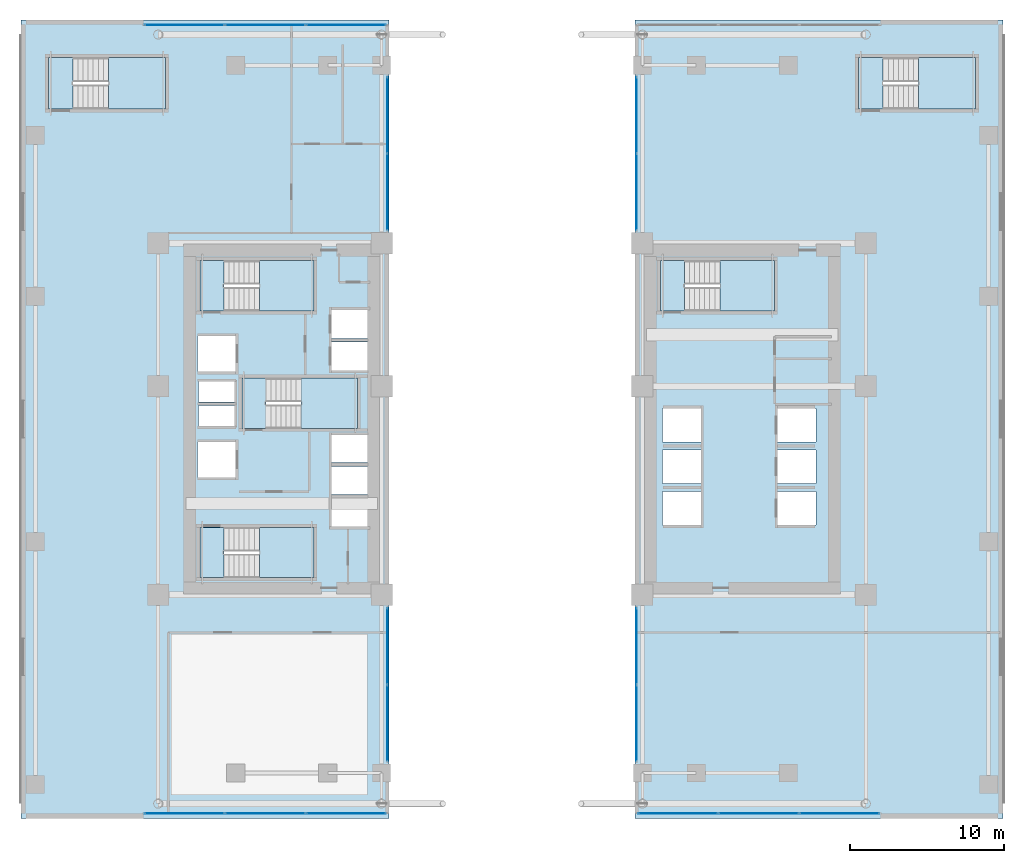
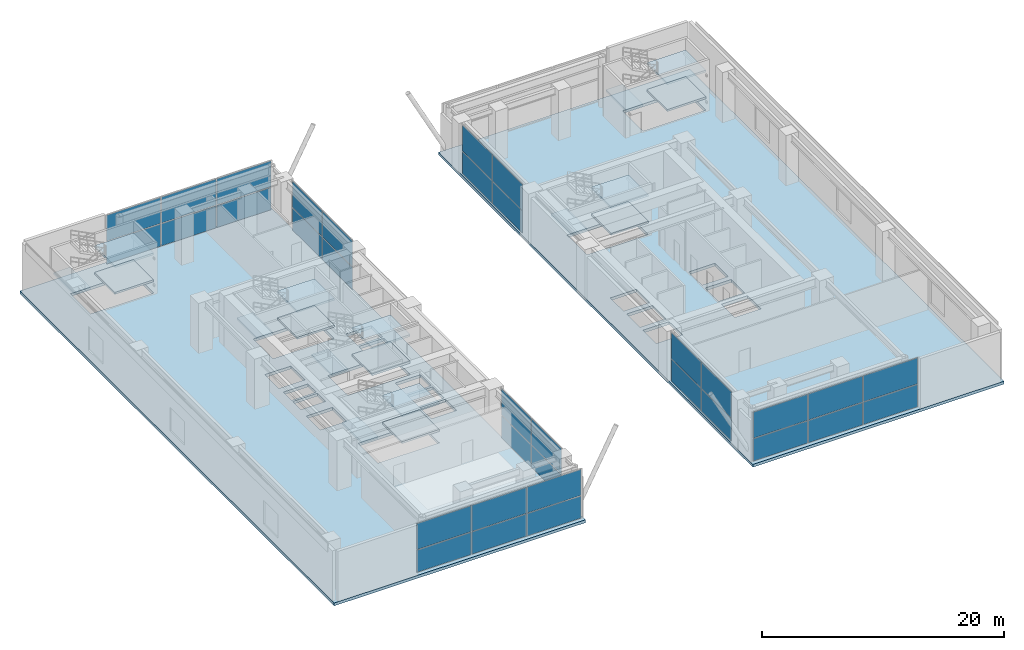
# One storey, part 18 of 29: 34 plates, 20 slabs, 13 elements without a shape of their own.
"""IFC4 building model written with IfcOpenShell, lengths in metres."""

from ifc_helpers import new_model, si_unit, direction, frame, origin, origin_2d, place, context, subcontext, project, spatial, polyline, rectangle, outline, extrude, source, transform, mapped, material, layer, layer_set, type_object, element, aggregate, save


model = new_model("IFC4")

# Units and contexts
model_context = context("Model", 3, precision=1e-05, world=origin(), true_north=direction((0.0, 1.0)))
body_context = subcontext(model_context, "Body", "Model", "MODEL_VIEW")
ifc_project = project(units=[si_unit("LENGTHUNIT", "METRE"), si_unit("AREAUNIT", "SQUARE_METRE"), si_unit("VOLUMEUNIT", "CUBIC_METRE"), si_unit("PLANEANGLEUNIT", "RADIAN"), si_unit("MASSUNIT", "GRAM", prefix="KILO")], contexts=[model_context])

# Site, building, storey
site_placement = place(None, origin())
site = spatial("IfcSite", under=ifc_project, at=site_placement, CompositionType="ELEMENT")
building_placement = place(site_placement, origin())
building = spatial("IfcBuilding", under=site, at=building_placement, Name="Ocotamira Hotel", CompositionType="ELEMENT")
storey_placement = place(building_placement, frame((0.0, 0.0, 6.0)))
storey = spatial("IfcBuildingStorey", under=building, at=storey_placement, Name="L02", CompositionType="ELEMENT", Elevation=6.0)

# Stair, slabs
ifc_material_1 = material(Name="Concrete C40/50", Category="concrete")
stair_type_1 = type_object("IfcStairType", Name="ST-CORE-1560", PredefinedType="HALF_TURN_STAIR", material=ifc_material_1)
stair_1_placement = place(storey_placement, origin())
stair_1 = element("IfcStair", 1, at=stair_1_placement, inside=storey, type_object=stair_type_1, Name="L02 Exit Stair ST-1", PredefinedType="HALF_TURN_STAIR")
ifc_layer_1 = layer(ifc_material_1, 0.199951171875)
ifc_layer_set_1 = layer_set([ifc_layer_1], Name="Concrete C40/50")
slab_type_1 = type_object("IfcSlabType", Name="SLB-LAND-200", PredefinedType="LANDING", material=ifc_layer_set_1)
slab_1_placement = place(storey_placement, frame((0.0, 0.0, 1.14990234375)))
slab_1 = element("IfcSlab", 2, at=slab_1_placement, type_object=slab_type_1, Name="ST-1 landing 1", PredefinedType="LANDING", context=body_context, shape_type="SweptSolid", body=[
    extrude(outline(polyline([(15.5400390625, 15.669921875), (19.090087890625, 15.669921875), (19.090087890625, 18.949951171875), (15.5400390625, 18.949951171875), (15.5400390625, 15.669921875)])), origin(), (0.0, 0.0, 1.0), 0.2001953125),
])
slab_2_placement = place(storey_placement, frame((0.0, 0.0, 2.5)))
slab_2 = element("IfcSlab", 3, at=slab_2_placement, type_object=slab_type_1, Name="ST-1 landing 2", PredefinedType="LANDING", context=body_context, shape_type="SweptSolid", body=[
    extrude(outline(polyline([(11.669921875, 15.669921875), (13.22998046875, 15.669921875), (13.22998046875, 18.949951171875), (11.669921875, 18.949951171875), (11.669921875, 15.669921875)])), origin(), (0.0, 0.0, 1.0), 0.199951171875),
])
slab_3_placement = place(storey_placement, frame((0.0, 0.0, 3.85009765625)))
slab_3 = element("IfcSlab", 4, at=slab_3_placement, type_object=slab_type_1, Name="ST-1 landing 3", PredefinedType="LANDING", context=body_context, shape_type="SweptSolid", body=[
    extrude(outline(polyline([(15.5400390625, 15.669921875), (19.090087890625, 15.669921875), (19.090087890625, 18.949951171875), (15.5400390625, 18.949951171875), (15.5400390625, 15.669921875)])), origin(), (0.0, 0.0, 1.0), 0.199951171875),
])
aggregate(stair_1, [slab_1, slab_2, slab_3])

stair_2_placement = place(storey_placement, origin())
stair_2 = element("IfcStair", 5, at=stair_2_placement, inside=storey, type_object=stair_type_1, Name="L02 Exit Stair ST-2", PredefinedType="HALF_TURN_STAIR")
slab_4_placement = place(storey_placement, frame((0.0, 0.0, 1.14990234375)))
slab_4 = element("IfcSlab", 6, at=slab_4_placement, type_object=slab_type_1, Name="ST-2 landing 1", PredefinedType="LANDING", context=body_context, shape_type="SweptSolid", body=[
    extrude(outline(polyline([(15.5400390625, 33.050048828125), (19.090087890625, 33.050048828125), (19.090087890625, 36.330078125), (15.5400390625, 36.330078125), (15.5400390625, 33.050048828125)])), origin(), (0.0, 0.0, 1.0), 0.2001953125),
])
slab_5_placement = place(storey_placement, frame((0.0, 0.0, 2.5)))
slab_5 = element("IfcSlab", 7, at=slab_5_placement, type_object=slab_type_1, Name="ST-2 landing 2", PredefinedType="LANDING", context=body_context, shape_type="SweptSolid", body=[
    extrude(outline(polyline([(11.669921875, 33.050048828125), (13.22998046875, 33.050048828125), (13.22998046875, 36.330078125), (11.669921875, 36.330078125), (11.669921875, 33.050048828125)])), origin(), (0.0, 0.0, 1.0), 0.199951171875),
])
slab_6_placement = place(storey_placement, frame((0.0, 0.0, 3.85009765625)))
slab_6 = element("IfcSlab", 8, at=slab_6_placement, type_object=slab_type_1, Name="ST-2 landing 3", PredefinedType="LANDING", context=body_context, shape_type="SweptSolid", body=[
    extrude(outline(polyline([(15.5400390625, 33.050048828125), (19.090087890625, 33.050048828125), (19.090087890625, 36.330078125), (15.5400390625, 36.330078125), (15.5400390625, 33.050048828125)])), origin(), (0.0, 0.0, 1.0), 0.199951171875),
])
aggregate(stair_2, [slab_4, slab_5, slab_6])

stair_3_placement = place(storey_placement, origin())
stair_3 = element("IfcStair", 9, at=stair_3_placement, inside=storey, type_object=stair_type_1, Name="L02 Exit Stair ST-3", PredefinedType="HALF_TURN_STAIR")
slab_7_placement = place(storey_placement, frame((0.0, 0.0, 1.14990234375)))
slab_7 = element("IfcSlab", 10, at=slab_7_placement, type_object=slab_type_1, Name="ST-3 landing 1", PredefinedType="LANDING", context=body_context, shape_type="SweptSolid", body=[
    extrude(outline(polyline([(18.27001953125, 25.39990234375), (21.919921875, 25.39990234375), (21.919921875, 28.679931640625), (18.27001953125, 28.679931640625), (18.27001953125, 25.39990234375)])), origin(), (0.0, 0.0, 1.0), 0.2001953125),
])
slab_8_placement = place(storey_placement, frame((0.0, 0.0, 2.5)))
slab_8 = element("IfcSlab", 11, at=slab_8_placement, type_object=slab_type_1, Name="ST-3 landing 2", PredefinedType="LANDING", context=body_context, shape_type="SweptSolid", body=[
    extrude(outline(polyline([(14.39990234375, 25.39990234375), (15.9599609375, 25.39990234375), (15.9599609375, 28.679931640625), (14.39990234375, 28.679931640625), (14.39990234375, 25.39990234375)])), origin(), (0.0, 0.0, 1.0), 0.199951171875),
])
slab_9_placement = place(storey_placement, frame((0.0, 0.0, 3.85009765625)))
slab_9 = element("IfcSlab", 12, at=slab_9_placement, type_object=slab_type_1, Name="ST-3 landing 3", PredefinedType="LANDING", context=body_context, shape_type="SweptSolid", body=[
    extrude(outline(polyline([(18.27001953125, 25.39990234375), (21.919921875, 25.39990234375), (21.919921875, 28.679931640625), (18.27001953125, 28.679931640625), (18.27001953125, 25.39990234375)])), origin(), (0.0, 0.0, 1.0), 0.199951171875),
])
aggregate(stair_3, [slab_7, slab_8, slab_9])

stair_4_placement = place(storey_placement, origin())
stair_4 = element("IfcStair", 13, at=stair_4_placement, inside=storey, type_object=stair_type_1, Name="L02 Exit Stair ST-4", PredefinedType="HALF_TURN_STAIR")
slab_10_placement = place(storey_placement, frame((0.0, 0.0, 1.14990234375)))
slab_10 = element("IfcSlab", 14, at=slab_10_placement, type_object=slab_type_1, Name="ST-4 landing 1", PredefinedType="LANDING", context=body_context, shape_type="SweptSolid", body=[
    extrude(outline(polyline([(45.5400390625, 33.050048828125), (49.090087890625, 33.050048828125), (49.090087890625, 36.330078125), (45.5400390625, 36.330078125), (45.5400390625, 33.050048828125)])), origin(), (0.0, 0.0, 1.0), 0.2001953125),
])
slab_11_placement = place(storey_placement, frame((0.0, 0.0, 2.5)))
slab_11 = element("IfcSlab", 15, at=slab_11_placement, type_object=slab_type_1, Name="ST-4 landing 2", PredefinedType="LANDING", context=body_context, shape_type="SweptSolid", body=[
    extrude(outline(polyline([(41.669921875, 33.050048828125), (43.22998046875, 33.050048828125), (43.22998046875, 36.330078125), (41.669921875, 36.330078125), (41.669921875, 33.050048828125)])), origin(), (0.0, 0.0, 1.0), 0.199951171875),
])
slab_12_placement = place(storey_placement, frame((0.0, 0.0, 3.85009765625)))
slab_12 = element("IfcSlab", 16, at=slab_12_placement, type_object=slab_type_1, Name="ST-4 landing 3", PredefinedType="LANDING", context=body_context, shape_type="SweptSolid", body=[
    extrude(outline(polyline([(45.5400390625, 33.050048828125), (49.090087890625, 33.050048828125), (49.090087890625, 36.330078125), (45.5400390625, 36.330078125), (45.5400390625, 33.050048828125)])), origin(), (0.0, 0.0, 1.0), 0.199951171875),
])
aggregate(stair_4, [slab_10, slab_11, slab_12])

stair_type_2 = type_object("IfcStairType", Name="ST-POD-1600", PredefinedType="HALF_TURN_STAIR", material=ifc_material_1)
stair_5_placement = place(storey_placement, origin())
stair_5 = element("IfcStair", 17, at=stair_5_placement, inside=storey, type_object=stair_type_2, Name="L02 Exit Stair ST-5", PredefinedType="HALF_TURN_STAIR")
slab_13_placement = place(storey_placement, frame((0.0, 0.0, 1.14990234375)))
slab_13 = element("IfcSlab", 18, at=slab_13_placement, type_object=slab_type_1, Name="ST-5 landing 1", PredefinedType="LANDING", context=body_context, shape_type="SweptSolid", body=[
    extrude(outline(polyline([(5.7099609375, 46.199951171875), (9.419921875, 46.199951171875), (9.419921875, 49.56005859375), (5.7099609375, 49.56005859375), (5.7099609375, 46.199951171875)])), origin(), (0.0, 0.0, 1.0), 0.2001953125),
])
slab_14_placement = place(storey_placement, frame((0.0, 0.0, 2.5)))
slab_14 = element("IfcSlab", 19, at=slab_14_placement, type_object=slab_type_1, Name="ST-5 landing 2", PredefinedType="LANDING", context=body_context, shape_type="SweptSolid", body=[
    extrude(outline(polyline([(1.800048828125, 46.199951171875), (3.39990234375, 46.199951171875), (3.39990234375, 49.56005859375), (1.800048828125, 49.56005859375), (1.800048828125, 46.199951171875)])), origin(), (0.0, 0.0, 1.0), 0.199951171875),
])
slab_15_placement = place(storey_placement, frame((0.0, 0.0, 3.85009765625)))
slab_15 = element("IfcSlab", 20, at=slab_15_placement, type_object=slab_type_1, Name="ST-5 landing 3", PredefinedType="LANDING", context=body_context, shape_type="SweptSolid", body=[
    extrude(outline(polyline([(5.7099609375, 46.199951171875), (9.419921875, 46.199951171875), (9.419921875, 49.56005859375), (5.7099609375, 49.56005859375), (5.7099609375, 46.199951171875)])), origin(), (0.0, 0.0, 1.0), 0.199951171875),
])
aggregate(stair_5, [slab_13, slab_14, slab_15])

stair_6_placement = place(storey_placement, origin())
stair_6 = element("IfcStair", 21, at=stair_6_placement, inside=storey, type_object=stair_type_2, Name="L02 Exit Stair ST-6", PredefinedType="HALF_TURN_STAIR")
slab_16_placement = place(storey_placement, frame((0.0, 0.0, 1.14990234375)))
slab_16 = element("IfcSlab", 22, at=slab_16_placement, type_object=slab_type_1, Name="ST-6 landing 1", PredefinedType="LANDING", context=body_context, shape_type="SweptSolid", body=[
    extrude(outline(polyline([(58.489990234375, 46.199951171875), (62.199951171875, 46.199951171875), (62.199951171875, 49.56005859375), (58.489990234375, 49.56005859375), (58.489990234375, 46.199951171875)])), origin(), (0.0, 0.0, 1.0), 0.2001953125),
])
slab_17_placement = place(storey_placement, frame((0.0, 0.0, 2.5)))
slab_17 = element("IfcSlab", 23, at=slab_17_placement, type_object=slab_type_1, Name="ST-6 landing 2", PredefinedType="LANDING", context=body_context, shape_type="SweptSolid", body=[
    extrude(outline(polyline([(54.580078125, 46.199951171875), (56.179931640625, 46.199951171875), (56.179931640625, 49.56005859375), (54.580078125, 49.56005859375), (54.580078125, 46.199951171875)])), origin(), (0.0, 0.0, 1.0), 0.199951171875),
])
slab_18_placement = place(storey_placement, frame((0.0, 0.0, 3.85009765625)))
slab_18 = element("IfcSlab", 24, at=slab_18_placement, type_object=slab_type_1, Name="ST-6 landing 3", PredefinedType="LANDING", context=body_context, shape_type="SweptSolid", body=[
    extrude(outline(polyline([(58.489990234375, 46.199951171875), (62.199951171875, 46.199951171875), (62.199951171875, 49.56005859375), (58.489990234375, 49.56005859375), (58.489990234375, 46.199951171875)])), origin(), (0.0, 0.0, 1.0), 0.199951171875),
])
aggregate(stair_6, [slab_16, slab_17, slab_18])

# Slabs
ifc_layer_2 = layer(ifc_material_1, 0.2900390625)
ifc_layer_set_2 = layer_set([ifc_layer_2], Name="Concrete C40/50")
slab_type_2 = type_object("IfcSlabType", Name="SLB-POD-290", PredefinedType="FLOOR", material=ifc_layer_set_2)
slab_19_placement = place(storey_placement, frame((0.0, 0.0, -0.2900390625)))
element("IfcSlab", 25, at=slab_19_placement, inside=storey, type_object=slab_type_2, Name="L02 Structural Floor Slab-P1", PredefinedType="FLOOR", context=body_context, shape_type="SweptSolid", body=[
    extrude(outline(polyline([(0.0, 0.0), (24.0, 0.0), (24.0, 52.0), (0.0, 52.0), (0.0, 0.0)]), holes=[polyline([(13.22998046875, 15.669921875), (19.090087890625, 15.669921875), (19.090087890625, 18.949951171875), (13.22998046875, 18.949951171875), (13.22998046875, 15.669921875)]), polyline([(13.22998046875, 33.050048828125), (19.090087890625, 33.050048828125), (19.090087890625, 36.330078125), (13.22998046875, 36.330078125), (13.22998046875, 33.050048828125)]), polyline([(15.9599609375, 25.39990234375), (21.919921875, 25.39990234375), (21.919921875, 28.679931640625), (15.9599609375, 28.679931640625), (15.9599609375, 25.39990234375)]), polyline([(3.39990234375, 46.199951171875), (9.419921875, 46.199951171875), (9.419921875, 49.56005859375), (3.39990234375, 49.56005859375), (3.39990234375, 46.199951171875)]), polyline([(20.25, 19.0), (22.659912109375, 19.0), (22.659912109375, 20.85009765625), (20.25, 20.85009765625), (20.25, 19.0)]), polyline([(20.25, 21.080078125), (22.659912109375, 21.080078125), (22.659912109375, 22.929931640625), (20.25, 22.929931640625), (20.25, 21.080078125)]), polyline([(20.25, 23.159912109375), (22.659912109375, 23.159912109375), (22.659912109375, 24.9599609375), (20.25, 24.9599609375), (20.25, 23.159912109375)]), polyline([(20.25, 29.179931640625), (22.659912109375, 29.179931640625), (22.659912109375, 31.030029296875), (20.25, 31.030029296875), (20.25, 29.179931640625)]), polyline([(20.25, 31.260009765625), (22.659912109375, 31.260009765625), (22.659912109375, 33.110107421875), (20.25, 33.110107421875), (20.25, 31.260009765625)]), polyline([(11.5, 22.199951171875), (14.0, 22.199951171875), (14.0, 24.5), (11.5, 24.5), (11.5, 22.199951171875)]), polyline([(11.5, 29.10009765625), (14.0, 29.10009765625), (14.0, 31.39990234375), (11.5, 31.39990234375), (11.5, 29.10009765625)]), polyline([(11.580078125, 25.550048828125), (13.919921875, 25.550048828125), (13.919921875, 26.89990234375), (11.580078125, 26.89990234375), (11.580078125, 25.550048828125)]), polyline([(11.580078125, 27.10009765625), (13.919921875, 27.10009765625), (13.919921875, 28.449951171875), (11.580078125, 28.449951171875), (11.580078125, 27.10009765625)])]), origin(), (0.0, 0.0, 1.0), 0.2900390625),
])
slab_20_placement = place(storey_placement, frame((0.0, 0.0, -0.2900390625)))
element("IfcSlab", 26, at=slab_20_placement, inside=storey, type_object=slab_type_2, Name="L02 Structural Floor Slab-P2", PredefinedType="FLOOR", context=body_context, shape_type="SweptSolid", body=[
    extrude(outline(polyline([(40.0, 0.0), (64.0, 0.0), (64.0, 52.0), (40.0, 52.0), (40.0, 0.0)]), holes=[polyline([(43.22998046875, 33.050048828125), (49.090087890625, 33.050048828125), (49.090087890625, 36.330078125), (43.22998046875, 36.330078125), (43.22998046875, 33.050048828125)]), polyline([(56.179931640625, 46.199951171875), (62.199951171875, 46.199951171875), (62.199951171875, 49.56005859375), (56.179931640625, 49.56005859375), (56.179931640625, 46.199951171875)]), polyline([(49.300048828125, 19.10009765625), (51.800048828125, 19.10009765625), (51.800048828125, 21.300048828125), (49.300048828125, 21.300048828125), (49.300048828125, 19.10009765625)]), polyline([(49.300048828125, 21.800048828125), (51.800048828125, 21.800048828125), (51.800048828125, 24.0), (49.300048828125, 24.0), (49.300048828125, 21.800048828125)]), polyline([(49.300048828125, 24.5), (51.800048828125, 24.5), (51.800048828125, 26.699951171875), (49.300048828125, 26.699951171875), (49.300048828125, 24.5)]), polyline([(41.800048828125, 19.10009765625), (44.300048828125, 19.10009765625), (44.300048828125, 21.300048828125), (41.800048828125, 21.300048828125), (41.800048828125, 19.10009765625)]), polyline([(41.800048828125, 21.800048828125), (44.300048828125, 21.800048828125), (44.300048828125, 24.0), (41.800048828125, 24.0), (41.800048828125, 21.800048828125)]), polyline([(41.800048828125, 24.5), (44.300048828125, 24.5), (44.300048828125, 26.699951171875), (41.800048828125, 26.699951171875), (41.800048828125, 24.5)])]), origin(), (0.0, 0.0, 1.0), 0.2900390625),
])

# Curtain wall, plates
ifc_material_2 = material(Name="Anodised pale-metal aluminium and solar glass", Category="aluminium")
ifc_layer_3 = layer(ifc_material_2, 0.219970703125)
ifc_layer_set_3 = layer_set([ifc_layer_3], Name="Anodised pale-metal aluminium and solar glass")
curtain_wall_type = type_object("IfcCurtainWallType", Name="CW-SYS1-POD", PredefinedType="NOTDEFINED", material=ifc_layer_set_3)
curtain_wall_1_placement = place(storey_placement, origin())
curtain_wall_1 = element("IfcCurtainWall", 27, at=curtain_wall_1_placement, inside=storey, type_object=curtain_wall_type, Name="L02 Curtain Wall CW-1 CW-L02-SE", PredefinedType="NOTDEFINED")
ifc_material_3 = material(Name="Double-silver low-E insulated solar glass", Category="glass")
ifc_layer_4 = layer(ifc_material_3, 0.031982421875)
ifc_layer_set_4 = layer_set([ifc_layer_4], Name="Double-silver low-E insulated solar glass")
plate_type = type_object("IfcPlateType", Name="CWP-VISION-32", PredefinedType="CURTAIN_PANEL", material=ifc_layer_set_4)
shared_shape_1 = source(origin(), body_context, "Body", "SweptSolid", [
    extrude(rectangle(XDim=5.163330078125, YDim=0.031982421875, at=origin_2d()), origin(), (0.0, 0.0, 1.0), 2.237548828125),
])
plate_1_placement = place(storey_placement, frame((42.811767578125, 0.320068359375, 0.0751953125), z_axis=(0.0, 0.0, 1.0), x_axis=(1.0, 0.0, 0.0)))
plate_1 = element("IfcPlate", 28, at=plate_1_placement, type_object=plate_type, Name="CW-1 panel 1.1", PredefinedType="CURTAIN_PANEL", context=body_context, shape_type="MappedRepresentation", body=[
    mapped(shared_shape_1, transform((0.0, 0.0, 0.0), scale=1.0)),
])
plate_2_placement = place(storey_placement, frame((53.33837890625, 0.320068359375, 0.0751953125), z_axis=(0.0, 0.0, 1.0), x_axis=(1.0, 0.0, 0.0)))
plate_2 = element("IfcPlate", 29, at=plate_2_placement, type_object=plate_type, Name="CW-1 panel 3.1", PredefinedType="CURTAIN_PANEL", context=body_context, shape_type="MappedRepresentation", body=[
    mapped(shared_shape_1, transform((0.0, 0.0, 0.0), scale=1.0)),
])

curtain_wall_2_placement = place(storey_placement, origin())
curtain_wall_2 = element("IfcCurtainWall", 30, at=curtain_wall_2_placement, inside=storey, type_object=curtain_wall_type, Name="L02 Curtain Wall CW-1 CW-L02-SW", PredefinedType="NOTDEFINED")
plate_3_placement = place(storey_placement, frame((10.66162109375, 0.320068359375, 0.0751953125), z_axis=(0.0, 0.0, 1.0), x_axis=(1.0, 0.0, 0.0)))
plate_3 = element("IfcPlate", 31, at=plate_3_placement, type_object=plate_type, Name="CW-1 panel 1.1", PredefinedType="CURTAIN_PANEL", context=body_context, shape_type="MappedRepresentation", body=[
    mapped(shared_shape_1, transform((0.0, 0.0, 0.0), scale=1.0)),
])
plate_4_placement = place(storey_placement, frame((21.188232421875, 0.320068359375, 0.0751953125), z_axis=(0.0, 0.0, 1.0), x_axis=(1.0, 0.0, 0.0)))
plate_4 = element("IfcPlate", 32, at=plate_4_placement, type_object=plate_type, Name="CW-1 panel 3.1", PredefinedType="CURTAIN_PANEL", context=body_context, shape_type="MappedRepresentation", body=[
    mapped(shared_shape_1, transform((0.0, 0.0, 0.0), scale=1.0)),
])

curtain_wall_3_placement = place(storey_placement, origin())
curtain_wall_3 = element("IfcCurtainWall", 33, at=curtain_wall_3_placement, inside=storey, type_object=curtain_wall_type, Name="L02 Curtain Wall CW-1 CW-L02-NW", PredefinedType="NOTDEFINED")
plate_5_placement = place(storey_placement, frame((10.66162109375, 51.679931640625, 0.0751953125), z_axis=(0.0, 0.0, 1.0), x_axis=(1.0, 0.0, 0.0)))
plate_5 = element("IfcPlate", 34, at=plate_5_placement, type_object=plate_type, Name="CW-1 panel 1.1", PredefinedType="CURTAIN_PANEL", context=body_context, shape_type="MappedRepresentation", body=[
    mapped(shared_shape_1, transform((0.0, 0.0, 0.0), scale=1.0)),
])
plate_6_placement = place(storey_placement, frame((21.188232421875, 51.679931640625, 0.0751953125), z_axis=(0.0, 0.0, 1.0), x_axis=(1.0, 0.0, 0.0)))
plate_6 = element("IfcPlate", 35, at=plate_6_placement, type_object=plate_type, Name="CW-1 panel 3.1", PredefinedType="CURTAIN_PANEL", context=body_context, shape_type="MappedRepresentation", body=[
    mapped(shared_shape_1, transform((0.0, 0.0, 0.0), scale=1.0)),
])

# Plate
shared_shape_2 = source(origin(), body_context, "Body", "SweptSolid", [
    extrude(rectangle(XDim=5.163330078125, YDim=0.031982421875, at=origin_2d()), origin(), (0.0, 0.0, 1.0), 2.617431640625),
])
plate_7_placement = place(storey_placement, frame((42.811767578125, 0.320068359375, 2.3876953125), z_axis=(0.0, 0.0, 1.0), x_axis=(1.0, 0.0, 0.0)))
plate_7 = element("IfcPlate", 36, at=plate_7_placement, type_object=plate_type, Name="CW-1 panel 1.2", PredefinedType="CURTAIN_PANEL", context=body_context, shape_type="MappedRepresentation", body=[
    mapped(shared_shape_2, transform((0.0, 0.0, 0.0), scale=1.0)),
])

plate_8_placement = place(storey_placement, frame((53.33837890625, 0.320068359375, 2.3876953125), z_axis=(0.0, 0.0, 1.0), x_axis=(1.0, 0.0, 0.0)))
plate_8 = element("IfcPlate", 37, at=plate_8_placement, type_object=plate_type, Name="CW-1 panel 3.2", PredefinedType="CURTAIN_PANEL", context=body_context, shape_type="MappedRepresentation", body=[
    mapped(shared_shape_2, transform((0.0, 0.0, 0.0), scale=1.0)),
])

plate_9_placement = place(storey_placement, frame((10.66162109375, 0.320068359375, 2.3876953125), z_axis=(0.0, 0.0, 1.0), x_axis=(1.0, 0.0, 0.0)))
plate_9 = element("IfcPlate", 38, at=plate_9_placement, type_object=plate_type, Name="CW-1 panel 1.2", PredefinedType="CURTAIN_PANEL", context=body_context, shape_type="MappedRepresentation", body=[
    mapped(shared_shape_2, transform((0.0, 0.0, 0.0), scale=1.0)),
])

plate_10_placement = place(storey_placement, frame((21.188232421875, 0.320068359375, 2.3876953125), z_axis=(0.0, 0.0, 1.0), x_axis=(1.0, 0.0, 0.0)))
plate_10 = element("IfcPlate", 39, at=plate_10_placement, type_object=plate_type, Name="CW-1 panel 3.2", PredefinedType="CURTAIN_PANEL", context=body_context, shape_type="MappedRepresentation", body=[
    mapped(shared_shape_2, transform((0.0, 0.0, 0.0), scale=1.0)),
])

plate_11_placement = place(storey_placement, frame((10.66162109375, 51.679931640625, 2.3876953125), z_axis=(0.0, 0.0, 1.0), x_axis=(1.0, 0.0, 0.0)))
plate_11 = element("IfcPlate", 40, at=plate_11_placement, type_object=plate_type, Name="CW-1 panel 1.2", PredefinedType="CURTAIN_PANEL", context=body_context, shape_type="MappedRepresentation", body=[
    mapped(shared_shape_2, transform((0.0, 0.0, 0.0), scale=1.0)),
])

plate_12_placement = place(storey_placement, frame((21.188232421875, 51.679931640625, 2.3876953125), z_axis=(0.0, 0.0, 1.0), x_axis=(1.0, 0.0, 0.0)))
plate_12 = element("IfcPlate", 41, at=plate_12_placement, type_object=plate_type, Name="CW-1 panel 3.2", PredefinedType="CURTAIN_PANEL", context=body_context, shape_type="MappedRepresentation", body=[
    mapped(shared_shape_2, transform((0.0, 0.0, 0.0), scale=1.0)),
])

shared_shape_3 = source(origin(), body_context, "Body", "SweptSolid", [
    extrude(rectangle(XDim=5.203369140625, YDim=0.031982421875, at=origin_2d()), origin(), (0.0, 0.0, 1.0), 2.237548828125),
])
plate_13_placement = place(storey_placement, frame((48.074951171875, 0.320068359375, 0.0751953125), z_axis=(0.0, 0.0, 1.0), x_axis=(1.0, 0.0, 0.0)))
plate_13 = element("IfcPlate", 42, at=plate_13_placement, type_object=plate_type, Name="CW-1 panel 2.1", PredefinedType="CURTAIN_PANEL", context=body_context, shape_type="MappedRepresentation", body=[
    mapped(shared_shape_3, transform((0.0, 0.0, 0.0), scale=1.0)),
])

plate_14_placement = place(storey_placement, frame((15.925048828125, 0.320068359375, 0.0751953125), z_axis=(0.0, 0.0, 1.0), x_axis=(1.0, 0.0, 0.0)))
plate_14 = element("IfcPlate", 43, at=plate_14_placement, type_object=plate_type, Name="CW-1 panel 2.1", PredefinedType="CURTAIN_PANEL", context=body_context, shape_type="MappedRepresentation", body=[
    mapped(shared_shape_3, transform((0.0, 0.0, 0.0), scale=1.0)),
])

plate_15_placement = place(storey_placement, frame((15.925048828125, 51.679931640625, 0.0751953125), z_axis=(0.0, 0.0, 1.0), x_axis=(1.0, 0.0, 0.0)))
plate_15 = element("IfcPlate", 44, at=plate_15_placement, type_object=plate_type, Name="CW-1 panel 2.1", PredefinedType="CURTAIN_PANEL", context=body_context, shape_type="MappedRepresentation", body=[
    mapped(shared_shape_3, transform((0.0, 0.0, 0.0), scale=1.0)),
])

shared_shape_4 = source(origin(), body_context, "Body", "SweptSolid", [
    extrude(rectangle(XDim=5.203369140625, YDim=0.031982421875, at=origin_2d()), origin(), (0.0, 0.0, 1.0), 2.617431640625),
])
plate_16_placement = place(storey_placement, frame((48.074951171875, 0.320068359375, 2.3876953125), z_axis=(0.0, 0.0, 1.0), x_axis=(1.0, 0.0, 0.0)))
plate_16 = element("IfcPlate", 45, at=plate_16_placement, type_object=plate_type, Name="CW-1 panel 2.2", PredefinedType="CURTAIN_PANEL", context=body_context, shape_type="MappedRepresentation", body=[
    mapped(shared_shape_4, transform((0.0, 0.0, 0.0), scale=1.0)),
])

aggregate(curtain_wall_1, [plate_1, plate_7, plate_13, plate_16, plate_2, plate_8])

plate_17_placement = place(storey_placement, frame((15.925048828125, 0.320068359375, 2.3876953125), z_axis=(0.0, 0.0, 1.0), x_axis=(1.0, 0.0, 0.0)))
plate_17 = element("IfcPlate", 46, at=plate_17_placement, type_object=plate_type, Name="CW-1 panel 2.2", PredefinedType="CURTAIN_PANEL", context=body_context, shape_type="MappedRepresentation", body=[
    mapped(shared_shape_4, transform((0.0, 0.0, 0.0), scale=1.0)),
])

aggregate(curtain_wall_2, [plate_3, plate_9, plate_14, plate_17, plate_4, plate_10])

plate_18_placement = place(storey_placement, frame((15.925048828125, 51.679931640625, 2.3876953125), z_axis=(0.0, 0.0, 1.0), x_axis=(1.0, 0.0, 0.0)))
plate_18 = element("IfcPlate", 47, at=plate_18_placement, type_object=plate_type, Name="CW-1 panel 2.2", PredefinedType="CURTAIN_PANEL", context=body_context, shape_type="MappedRepresentation", body=[
    mapped(shared_shape_4, transform((0.0, 0.0, 0.0), scale=1.0)),
])

aggregate(curtain_wall_3, [plate_5, plate_11, plate_15, plate_18, plate_6, plate_12])

# Curtain wall, plates
curtain_wall_4_placement = place(storey_placement, origin())
curtain_wall_4 = element("IfcCurtainWall", 48, at=curtain_wall_4_placement, inside=storey, type_object=curtain_wall_type, Name="L02 Curtain Wall CW-1 CW-L02-AW-S", PredefinedType="NOTDEFINED")
shared_shape_5 = source(origin(), body_context, "Body", "SweptSolid", [
    extrude(rectangle(XDim=4.929931640625, YDim=0.031982421875, at=origin_2d()), origin(), (0.0, 0.0, 1.0), 2.237548828125),
])
plate_19_placement = place(storey_placement, frame((23.8798828125, 6.195068359375, 0.0751953125), z_axis=(0.0, 0.0, 1.0), x_axis=(0.0, 1.0, 0.0)))
plate_19 = element("IfcPlate", 49, at=plate_19_placement, type_object=plate_type, Name="CW-1 panel 1.1", PredefinedType="CURTAIN_PANEL", context=body_context, shape_type="MappedRepresentation", body=[
    mapped(shared_shape_5, transform((0.0, 0.0, 0.0), scale=1.0)),
])
plate_20_placement = place(storey_placement, frame((23.8798828125, 11.205078125, 0.0751953125), z_axis=(0.0, 0.0, 1.0), x_axis=(0.0, 1.0, 0.0)))
plate_20 = element("IfcPlate", 50, at=plate_20_placement, type_object=plate_type, Name="CW-1 panel 2.1", PredefinedType="CURTAIN_PANEL", context=body_context, shape_type="MappedRepresentation", body=[
    mapped(shared_shape_5, transform((0.0, 0.0, 0.0), scale=1.0)),
])

curtain_wall_5_placement = place(storey_placement, origin())
curtain_wall_5 = element("IfcCurtainWall", 51, at=curtain_wall_5_placement, inside=storey, type_object=curtain_wall_type, Name="L02 Curtain Wall CW-1 CW-L02-AW-N", PredefinedType="NOTDEFINED")
plate_21_placement = place(storey_placement, frame((23.8798828125, 40.794921875, 0.0751953125), z_axis=(0.0, 0.0, 1.0), x_axis=(0.0, 1.0, 0.0)))
plate_21 = element("IfcPlate", 52, at=plate_21_placement, type_object=plate_type, Name="CW-1 panel 1.1", PredefinedType="CURTAIN_PANEL", context=body_context, shape_type="MappedRepresentation", body=[
    mapped(shared_shape_5, transform((0.0, 0.0, 0.0), scale=1.0)),
])
plate_22_placement = place(storey_placement, frame((23.8798828125, 45.804931640625, 0.0751953125), z_axis=(0.0, 0.0, 1.0), x_axis=(0.0, 1.0, 0.0)))
plate_22 = element("IfcPlate", 53, at=plate_22_placement, type_object=plate_type, Name="CW-1 panel 2.1", PredefinedType="CURTAIN_PANEL", context=body_context, shape_type="MappedRepresentation", body=[
    mapped(shared_shape_5, transform((0.0, 0.0, 0.0), scale=1.0)),
])

curtain_wall_6_placement = place(storey_placement, origin())
curtain_wall_6 = element("IfcCurtainWall", 54, at=curtain_wall_6_placement, inside=storey, type_object=curtain_wall_type, Name="L02 Curtain Wall CW-1 CW-L02-AE-S", PredefinedType="NOTDEFINED")
plate_23_placement = place(storey_placement, frame((40.1201171875, 6.195068359375, 0.0751953125), z_axis=(0.0, 0.0, 1.0), x_axis=(0.0, 1.0, 0.0)))
plate_23 = element("IfcPlate", 55, at=plate_23_placement, type_object=plate_type, Name="CW-1 panel 1.1", PredefinedType="CURTAIN_PANEL", context=body_context, shape_type="MappedRepresentation", body=[
    mapped(shared_shape_5, transform((0.0, 0.0, 0.0), scale=1.0)),
])
plate_24_placement = place(storey_placement, frame((40.1201171875, 11.205078125, 0.0751953125), z_axis=(0.0, 0.0, 1.0), x_axis=(0.0, 1.0, 0.0)))
plate_24 = element("IfcPlate", 56, at=plate_24_placement, type_object=plate_type, Name="CW-1 panel 2.1", PredefinedType="CURTAIN_PANEL", context=body_context, shape_type="MappedRepresentation", body=[
    mapped(shared_shape_5, transform((0.0, 0.0, 0.0), scale=1.0)),
])

curtain_wall_7_placement = place(storey_placement, origin())
curtain_wall_7 = element("IfcCurtainWall", 57, at=curtain_wall_7_placement, inside=storey, type_object=curtain_wall_type, Name="L02 Curtain Wall CW-1 CW-L02-AE-N", PredefinedType="NOTDEFINED")
plate_25_placement = place(storey_placement, frame((40.1201171875, 40.794921875, 0.0751953125), z_axis=(0.0, 0.0, 1.0), x_axis=(0.0, 1.0, 0.0)))
plate_25 = element("IfcPlate", 58, at=plate_25_placement, type_object=plate_type, Name="CW-1 panel 1.1", PredefinedType="CURTAIN_PANEL", context=body_context, shape_type="MappedRepresentation", body=[
    mapped(shared_shape_5, transform((0.0, 0.0, 0.0), scale=1.0)),
])
plate_26_placement = place(storey_placement, frame((40.1201171875, 45.804931640625, 0.0751953125), z_axis=(0.0, 0.0, 1.0), x_axis=(0.0, 1.0, 0.0)))
plate_26 = element("IfcPlate", 59, at=plate_26_placement, type_object=plate_type, Name="CW-1 panel 2.1", PredefinedType="CURTAIN_PANEL", context=body_context, shape_type="MappedRepresentation", body=[
    mapped(shared_shape_5, transform((0.0, 0.0, 0.0), scale=1.0)),
])

# Plate
shared_shape_6 = source(origin(), body_context, "Body", "SweptSolid", [
    extrude(rectangle(XDim=4.929931640625, YDim=0.031982421875, at=origin_2d()), origin(), (0.0, 0.0, 1.0), 2.617431640625),
])
plate_27_placement = place(storey_placement, frame((23.8798828125, 6.195068359375, 2.3876953125), z_axis=(0.0, 0.0, 1.0), x_axis=(0.0, 1.0, 0.0)))
plate_27 = element("IfcPlate", 60, at=plate_27_placement, type_object=plate_type, Name="CW-1 panel 1.2", PredefinedType="CURTAIN_PANEL", context=body_context, shape_type="MappedRepresentation", body=[
    mapped(shared_shape_6, transform((0.0, 0.0, 0.0), scale=1.0)),
])

plate_28_placement = place(storey_placement, frame((23.8798828125, 11.205078125, 2.3876953125), z_axis=(0.0, 0.0, 1.0), x_axis=(0.0, 1.0, 0.0)))
plate_28 = element("IfcPlate", 61, at=plate_28_placement, type_object=plate_type, Name="CW-1 panel 2.2", PredefinedType="CURTAIN_PANEL", context=body_context, shape_type="MappedRepresentation", body=[
    mapped(shared_shape_6, transform((0.0, 0.0, 0.0), scale=1.0)),
])

aggregate(curtain_wall_4, [plate_19, plate_27, plate_20, plate_28])

plate_29_placement = place(storey_placement, frame((23.8798828125, 40.794921875, 2.3876953125), z_axis=(0.0, 0.0, 1.0), x_axis=(0.0, 1.0, 0.0)))
plate_29 = element("IfcPlate", 62, at=plate_29_placement, type_object=plate_type, Name="CW-1 panel 1.2", PredefinedType="CURTAIN_PANEL", context=body_context, shape_type="MappedRepresentation", body=[
    mapped(shared_shape_6, transform((0.0, 0.0, 0.0), scale=1.0)),
])

plate_30_placement = place(storey_placement, frame((23.8798828125, 45.804931640625, 2.3876953125), z_axis=(0.0, 0.0, 1.0), x_axis=(0.0, 1.0, 0.0)))
plate_30 = element("IfcPlate", 63, at=plate_30_placement, type_object=plate_type, Name="CW-1 panel 2.2", PredefinedType="CURTAIN_PANEL", context=body_context, shape_type="MappedRepresentation", body=[
    mapped(shared_shape_6, transform((0.0, 0.0, 0.0), scale=1.0)),
])

aggregate(curtain_wall_5, [plate_21, plate_29, plate_22, plate_30])

plate_31_placement = place(storey_placement, frame((40.1201171875, 6.195068359375, 2.3876953125), z_axis=(0.0, 0.0, 1.0), x_axis=(0.0, 1.0, 0.0)))
plate_31 = element("IfcPlate", 64, at=plate_31_placement, type_object=plate_type, Name="CW-1 panel 1.2", PredefinedType="CURTAIN_PANEL", context=body_context, shape_type="MappedRepresentation", body=[
    mapped(shared_shape_6, transform((0.0, 0.0, 0.0), scale=1.0)),
])

plate_32_placement = place(storey_placement, frame((40.1201171875, 11.205078125, 2.3876953125), z_axis=(0.0, 0.0, 1.0), x_axis=(0.0, 1.0, 0.0)))
plate_32 = element("IfcPlate", 65, at=plate_32_placement, type_object=plate_type, Name="CW-1 panel 2.2", PredefinedType="CURTAIN_PANEL", context=body_context, shape_type="MappedRepresentation", body=[
    mapped(shared_shape_6, transform((0.0, 0.0, 0.0), scale=1.0)),
])

aggregate(curtain_wall_6, [plate_23, plate_31, plate_24, plate_32])

plate_33_placement = place(storey_placement, frame((40.1201171875, 40.794921875, 2.3876953125), z_axis=(0.0, 0.0, 1.0), x_axis=(0.0, 1.0, 0.0)))
plate_33 = element("IfcPlate", 66, at=plate_33_placement, type_object=plate_type, Name="CW-1 panel 1.2", PredefinedType="CURTAIN_PANEL", context=body_context, shape_type="MappedRepresentation", body=[
    mapped(shared_shape_6, transform((0.0, 0.0, 0.0), scale=1.0)),
])

plate_34_placement = place(storey_placement, frame((40.1201171875, 45.804931640625, 2.3876953125), z_axis=(0.0, 0.0, 1.0), x_axis=(0.0, 1.0, 0.0)))
plate_34 = element("IfcPlate", 67, at=plate_34_placement, type_object=plate_type, Name="CW-1 panel 2.2", PredefinedType="CURTAIN_PANEL", context=body_context, shape_type="MappedRepresentation", body=[
    mapped(shared_shape_6, transform((0.0, 0.0, 0.0), scale=1.0)),
])

aggregate(curtain_wall_7, [plate_25, plate_33, plate_26, plate_34])

save(model, "model.ifc")
